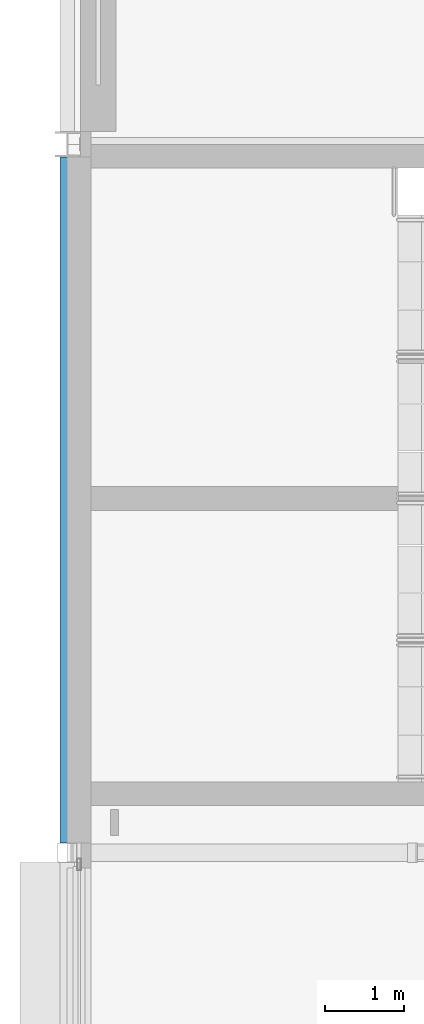
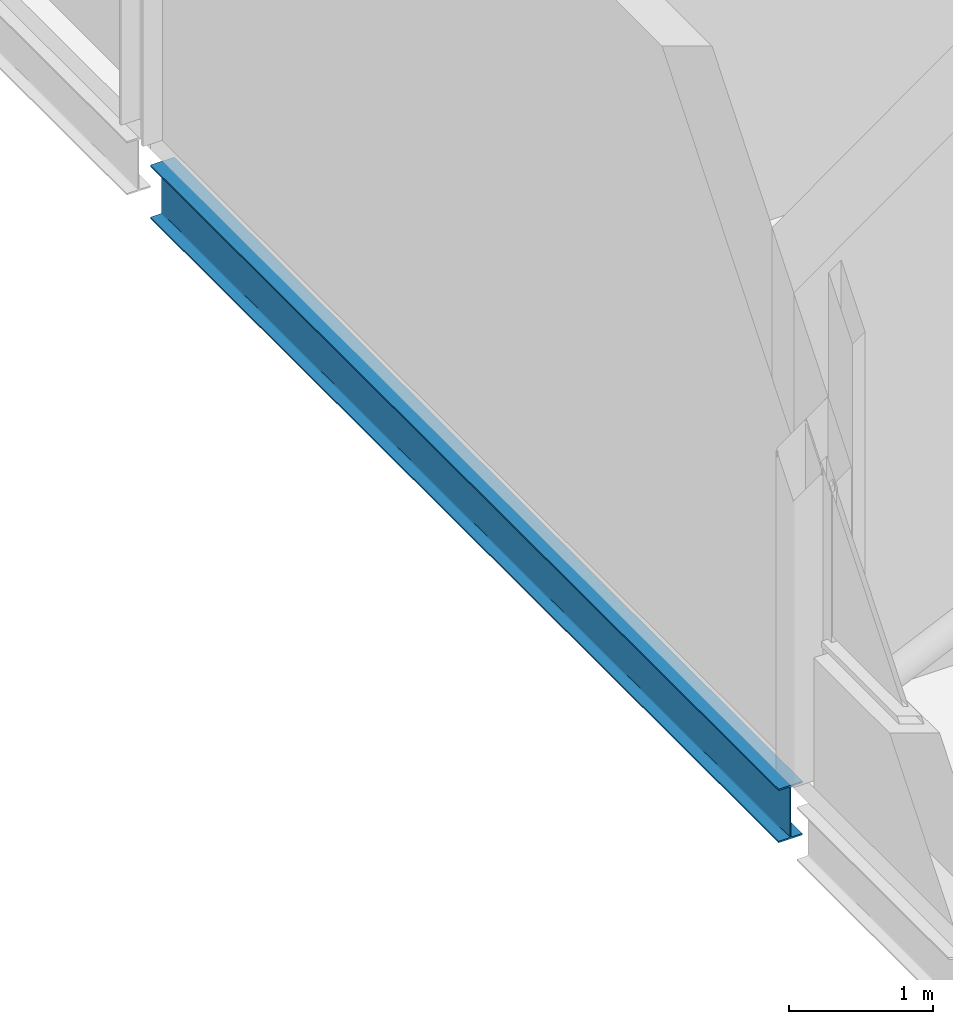
# One storey, part 21 of 61: 1 beam.
"""IFC4 building model written with IfcOpenShell, lengths in metres."""

from ifc_helpers import new_model, si_unit, direction, frame, origin, origin_2d, place, context, subcontext, project, spatial, i_section, extrude, material, material_profile, profile_set, type_object, element, save


model = new_model("IFC4")

# Units and contexts
model_context = context("Model", 3, precision=1e-05, world=origin(), true_north=direction((0.0, 1.0)))
body_context = subcontext(model_context, "Body", "Model", "MODEL_VIEW")
ifc_project = project(units=[si_unit("LENGTHUNIT", "METRE"), si_unit("AREAUNIT", "SQUARE_METRE"), si_unit("VOLUMEUNIT", "CUBIC_METRE"), si_unit("PLANEANGLEUNIT", "RADIAN"), si_unit("MASSUNIT", "GRAM", prefix="KILO")], contexts=[model_context])

# Site, building, storey
site_placement = place(None, origin())
site = spatial("IfcSite", under=ifc_project, at=site_placement, CompositionType="ELEMENT")
building_placement = place(site_placement, origin())
building = spatial("IfcBuilding", under=site, at=building_placement, Name="Shorebreak Coast Museum", CompositionType="ELEMENT")
storey_placement = place(building_placement, frame((0.0, 0.0, 26.0)))
storey = spatial("IfcBuildingStorey", under=building, at=storey_placement, Name="L04", CompositionType="ELEMENT", Elevation=26.0)

# Beam
ifc_material = material(Name="Steel Grade 300", Category="steel")
ifc_material_profile = material_profile(ifc_material, i_section(OverallWidth=0.18994140625, OverallDepth=0.453857421875, WebThickness=0.008544921875, FlangeThickness=0.0126953125, FilletRadius=0.011474609375, at=origin_2d()), Name="460UB67.1")
ifc_profile_set = profile_set([ifc_material_profile], Name="Steel Grade 300")
beam_type = type_object("IfcBeamType", Name="Floor girder north-south 460UB67.1", PredefinedType="BEAM", material=ifc_profile_set)
beam_placement = place(storey_placement, frame((54.0, 81.125, -0.40185546875), z_axis=(0.0, 1.0, 0.0), x_axis=(-1.0, 0.0, 0.0)))
element("IfcBeam", 1, at=beam_placement, inside=storey, type_object=beam_type, Name="Floor girder north-south L04 7K", PredefinedType="BEAM", context=body_context, shape_type="SweptSolid", body=[
    extrude(i_section(OverallWidth=0.18994140625, OverallDepth=0.453857421875, WebThickness=0.008544921875, FlangeThickness=0.0126953125, FilletRadius=0.011474609375, at=origin_2d()), origin(), (0.0, 0.0, 1.0), 8.71142578125),
])

save(model, "model.ifc")
